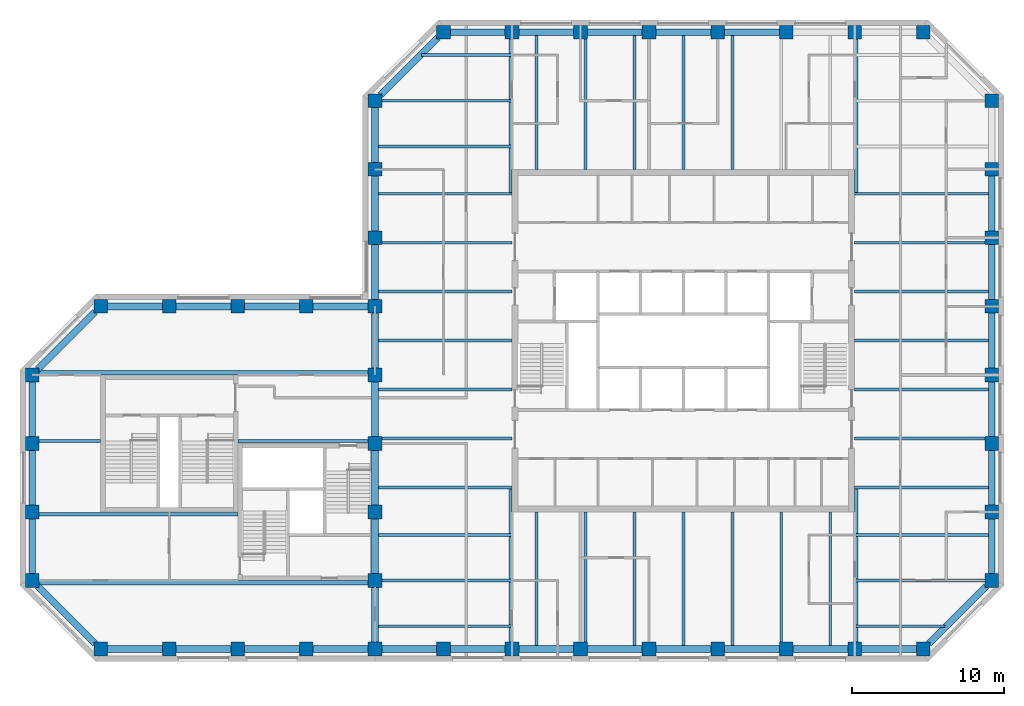
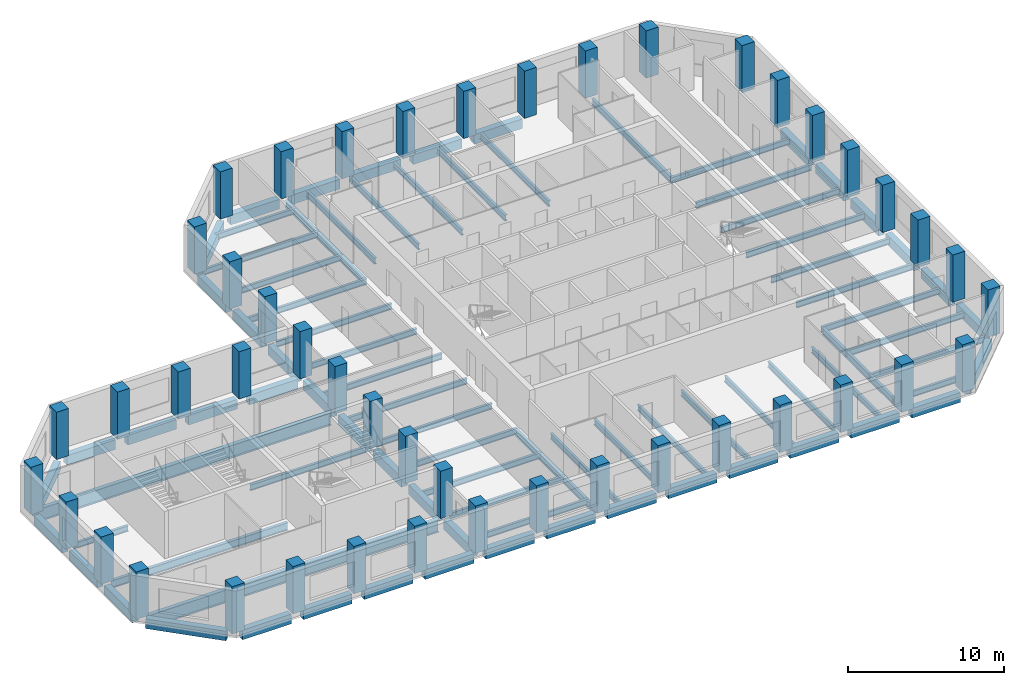
# One storey, part 1 of 9: 86 beams, 45 columns.
"""IFC4 building model written with IfcOpenShell, lengths in metres."""

from ifc_helpers import new_model, si_unit, direction, frame, origin, origin_2d, place, context, subcontext, project, spatial, rectangle, i_section, extrude, material, material_profile, profile_set, type_object, element, save


model = new_model("IFC4")

# Units and contexts
model_context = context("Model", 3, precision=1e-05, world=origin(), true_north=direction((0.0, 1.0)))
body_context = subcontext(model_context, "Body", "Model", "MODEL_VIEW")
ifc_project = project(units=[si_unit("LENGTHUNIT", "METRE"), si_unit("AREAUNIT", "SQUARE_METRE"), si_unit("VOLUMEUNIT", "CUBIC_METRE"), si_unit("PLANEANGLEUNIT", "RADIAN"), si_unit("MASSUNIT", "GRAM", prefix="KILO")], contexts=[model_context])

# Site, building, storey
site_placement = place(None, origin())
site = spatial("IfcSite", under=ifc_project, at=site_placement, CompositionType="ELEMENT")
building_placement = place(site_placement, origin())
building = spatial("IfcBuilding", under=site, at=building_placement, Name="Quoin Convention Tower", CompositionType="ELEMENT")
storey_placement = place(building_placement, frame((0.0, 0.0, 226.699951171875)))
storey = spatial("IfcBuildingStorey", under=building, at=storey_placement, Name="L59", CompositionType="ELEMENT", Elevation=226.699951171875)

# Columns
ifc_material_1 = material(Name="Concrete C50", Category="concrete")
ifc_material_profile_1 = material_profile(ifc_material_1, rectangle(XDim=0.89990234375, YDim=0.89990234375, at=origin_2d()), Name="RC 900x900")
ifc_profile_set_1 = profile_set([ifc_material_profile_1], Name="Concrete C50")
column_type = type_object("IfcColumnType", Name="RC 900x900 C50", PredefinedType="COLUMN", material=ifc_profile_set_1)
for number, where, z_axis, x_axis, name in (
    (1, (18.0, 40.5, 0.0), (0.0, 0.0, 1.0), (1.0, 0.0, 0.0), "col-L59-18000_40500"),
    (2, (22.5, 40.5, 0.0), (0.0, 0.0, 1.0), (1.0, 0.0, 0.0), "col-L59-22500_40500"),
    (3, (27.0, 40.5, 0.0), (0.0, 0.0, 1.0), (1.0, 0.0, 0.0), "col-L59-27000_40500"),
    (4, (31.5, 40.5, 0.0), (0.0, 0.0, 1.0), (1.0, 0.0, 0.0), "col-L59-31500_40500"),
    (5, (36.0, 40.5, 0.0), (0.0, 0.0, 1.0), (1.0, 0.0, 0.0), "col-L59-36000_40500"),
    (6, (40.5, 40.5, 0.0), (0.0, 0.0, 1.0), (1.0, 0.0, 0.0), "col-L59-40500_40500"),
    (7, (45.0, 40.5, 0.0), (0.0, 0.0, 1.0), (1.0, 0.0, 0.0), "col-L59-45000_40500"),
    (8, (49.5, 40.5, 0.0), (0.0, 0.0, 1.0), (1.0, 0.0, 0.0), "col-L59-49500_40500"),
    (9, (54.0, 40.5, 0.0), (0.0, 0.0, 1.0), (1.0, 0.0, 0.0), "col-L59-54000_40500"),
    (10, (58.5, 40.5, 0.0), (0.0, 0.0, 1.0), (1.0, 0.0, 0.0), "col-L59-58500_40500"),
    (11, (63.0, 40.5, 0.0), (0.0, 0.0, 1.0), (1.0, 0.0, 0.0), "col-L59-63000_40500"),
    (12, (67.5, 40.5, 0.0), (0.0, 0.0, 1.0), (1.0, 0.0, 0.0), "col-L59-67500_40500"),
    (13, (72.0, 40.5, 0.0), (0.0, 0.0, 1.0), (1.0, 0.0, 0.0), "col-L59-72000_40500"),
    (14, (13.5, 45.0, 0.0), (0.0, 0.0, 1.0), (1.0, 0.0, 0.0), "col-L59-13500_45000"),
    (15, (36.0, 45.0, 0.0), (0.0, 0.0, 1.0), (1.0, 0.0, 0.0), "web-L59-36000_45000"),
    (16, (76.5, 45.0, 0.0), (0.0, 0.0, 1.0), (1.0, 0.0, 0.0), "col-L59-76500_45000"),
    (17, (13.5, 49.5, 0.0), (0.0, 0.0, 1.0), (1.0, 0.0, 0.0), "col-L59-13500_49500"),
    (18, (36.0, 49.5, 0.0), (0.0, 0.0, 1.0), (1.0, 0.0, 0.0), "web-L59-36000_49500"),
    (19, (76.5, 49.5, 0.0), (0.0, 0.0, 1.0), (1.0, 0.0, 0.0), "col-L59-76500_49500"),
    (20, (13.5, 54.0, 0.0), (0.0, 0.0, 1.0), (1.0, 0.0, 0.0), "col-L59-13500_54000"),
    (21, (36.0, 54.0, 0.0), (0.0, 0.0, 1.0), (1.0, 0.0, 0.0), "web-L59-36000_54000"),
    (22, (76.5, 54.0, 0.0), (0.0, 0.0, 1.0), (1.0, 0.0, 0.0), "col-L59-76500_54000"),
    (23, (13.5, 58.5, 0.0), (0.0, 0.0, 1.0), (1.0, 0.0, 0.0), "col-L59-13500_58500"),
    (24, (36.0, 58.5, 0.0), (0.0, 0.0, 1.0), (1.0, 0.0, 0.0), "web-L59-36000_58500"),
    (25, (76.5, 58.5, 0.0), (0.0, 0.0, 1.0), (1.0, 0.0, 0.0), "col-L59-76500_58500"),
    (26, (18.0, 63.0, 0.0), (0.0, 0.0, 1.0), (1.0, 0.0, 0.0), "col-L59-18000_63000"),
    (27, (22.5, 63.0, 0.0), (0.0, 0.0, 1.0), (1.0, 0.0, 0.0), "col-L59-22500_63000"),
    (28, (27.0, 63.0, 0.0), (0.0, 0.0, 1.0), (1.0, 0.0, 0.0), "col-L59-27000_63000"),
    (29, (31.5, 63.0, 0.0), (0.0, 0.0, 1.0), (1.0, 0.0, 0.0), "col-L59-31500_63000"),
    (30, (36.0, 63.0, 0.0), (0.0, 0.0, 1.0), (1.0, 0.0, 0.0), "col-L59-36000_63000"),
    (31, (76.5, 63.0, 0.0), (0.0, 0.0, 1.0), (1.0, 0.0, 0.0), "col-L59-76500_63000"),
    (32, (36.0, 67.5, 0.0), (0.0, 0.0, 1.0), (1.0, 0.0, 0.0), "col-L59-36000_67500"),
    (33, (76.5, 67.5, 0.0), (0.0, 0.0, 1.0), (1.0, 0.0, 0.0), "col-L59-76500_67500"),
    (34, (36.0, 72.0, 0.0), (0.0, 0.0, 1.0), (1.0, 0.0, 0.0), "col-L59-36000_72000"),
    (35, (76.5, 72.0, 0.0), (0.0, 0.0, 1.0), (1.0, 0.0, 0.0), "col-L59-76500_72000"),
    (36, (36.0, 76.5, 0.0), (0.0, 0.0, 1.0), (1.0, 0.0, 0.0), "col-L59-36000_76500"),
    (37, (76.5, 76.5, 0.0), (0.0, 0.0, 1.0), (1.0, 0.0, 0.0), "col-L59-76500_76500"),
    (38, (40.5, 81.0, 0.0), (0.0, 0.0, 1.0), (1.0, 0.0, 0.0), "col-L59-40500_81000"),
    (39, (45.0, 81.0, 0.0), (0.0, 0.0, 1.0), (1.0, 0.0, 0.0), "col-L59-45000_81000"),
    (40, (49.5, 81.0, 0.0), (0.0, 0.0, 1.0), (1.0, 0.0, 0.0), "col-L59-49500_81000"),
    (41, (54.0, 81.0, 0.0), (0.0, 0.0, 1.0), (1.0, 0.0, 0.0), "col-L59-54000_81000"),
    (42, (58.5, 81.0, 0.0), (0.0, 0.0, 1.0), (1.0, 0.0, 0.0), "col-L59-58500_81000"),
    (43, (63.0, 81.0, 0.0), (0.0, 0.0, 1.0), (1.0, 0.0, 0.0), "col-L59-63000_81000"),
    (44, (67.5, 81.0, 0.0), (0.0, 0.0, 1.0), (1.0, 0.0, 0.0), "col-L59-67500_81000"),
    (45, (72.0, 81.0, 0.0), (0.0, 0.0, 1.0), (1.0, 0.0, 0.0), "col-L59-72000_81000"),
):
    element("IfcColumn", number, at=place(storey_placement, frame(where, z_axis=z_axis, x_axis=x_axis)), inside=storey, type_object=column_type, Name=name, PredefinedType="COLUMN", context=body_context, shape_type="SweptSolid", body=[
        extrude(rectangle(XDim=0.89990234375, YDim=0.89990234375, at=origin_2d()), origin(), (0.0, 0.0, 1.0), 3.699951171875),
    ])

# Beams
ifc_material_2 = material(Name="Steel Grade 300", Category="steel")
ifc_material_profile_2 = material_profile(ifc_material_2, i_section(OverallWidth=0.300048828125, OverallDepth=1.0, WebThickness=0.01611328125, FlangeThickness=0.02001953125, at=origin_2d()), Name="1000WB215")
ifc_profile_set_2 = profile_set([ifc_material_profile_2], Name="Steel Grade 300")
beam_type_1 = type_object("IfcBeamType", Name="1000WB215", PredefinedType="BEAM", material=ifc_profile_set_2)
for number, where, z_axis, x_axis, name in (
    (46, (13.949951171875, 44.85009765625, -0.64990234375), (1.0, 0.0, 0.0), (0.0, 1.0, 0.0), "gir-L59-ST2-1-0"),
    (47, (13.949951171875, 58.64990234375, -0.64990234375), (1.0, 0.0, 0.0), (0.0, 1.0, 0.0), "gir-L59-ST2-4-0"),
):
    element("IfcBeam", number, at=place(storey_placement, frame(where, z_axis=z_axis, x_axis=x_axis)), inside=storey, type_object=beam_type_1, Name=name, PredefinedType="BEAM", context=body_context, shape_type="SweptSolid", body=[
        extrude(i_section(OverallWidth=0.300048828125, OverallDepth=1.0, WebThickness=0.01611328125, FlangeThickness=0.02001953125, at=origin_2d()), origin(), (0.0, 0.0, 1.0), 21.60009765625),
    ])
ifc_material_profile_3 = material_profile(ifc_material_2, i_section(OverallWidth=0.18994140625, OverallDepth=0.4541015625, WebThickness=0.008544921875, FlangeThickness=0.0126953125, FilletRadius=0.011474609375, at=origin_2d()), Name="460UB67.1")
ifc_profile_set_3 = profile_set([ifc_material_profile_3], Name="Steel Grade 300")
beam_type_2 = type_object("IfcBeamType", Name="460UB67.1", PredefinedType="BEAM", material=ifc_profile_set_3)
beam_1_placement = place(storey_placement, frame((36.22509765625, 51.107177734375, -0.376953125), z_axis=(1.0, 0.0, 0.0), x_axis=(0.0, 1.0, 0.0)))
element("IfcBeam", 48, at=beam_1_placement, inside=storey, type_object=beam_type_2, Name="bm-L59-T1W0", PredefinedType="BEAM", context=body_context, shape_type="SweptSolid", body=[
    extrude(i_section(OverallWidth=0.18994140625, OverallDepth=0.4541015625, WebThickness=0.008544921875, FlangeThickness=0.0126953125, FilletRadius=0.011474609375, at=origin_2d()), origin(), (0.0, 0.0, 1.0), 8.77490234375),
])
beam_2_placement = place(storey_placement, frame((36.449951171875, 54.3212890625, -0.376953125), z_axis=(1.0, 0.0, 0.0), x_axis=(0.0, 1.0, 0.0)))
element("IfcBeam", 49, at=beam_2_placement, inside=storey, type_object=beam_type_2, Name="bm-L59-T1W1", PredefinedType="BEAM", context=body_context, shape_type="SweptSolid", body=[
    extrude(i_section(OverallWidth=0.18994140625, OverallDepth=0.4541015625, WebThickness=0.008544921875, FlangeThickness=0.0126953125, FilletRadius=0.011474609375, at=origin_2d()), origin(), (0.0, 0.0, 1.0), 8.550048828125),
])
for number, where, z_axis, x_axis, name in (
    (50, (36.22509765625, 57.53564453125, -0.376953125), (1.0, 0.0, 0.0), (0.0, 1.0, 0.0), "bm-L59-T1W2"),
    (51, (36.22509765625, 60.75, -0.376953125), (1.0, 0.0, 0.0), (0.0, 1.0, 0.0), "bm-L59-T1W3"),
    (52, (36.22509765625, 63.96435546875, -0.376953125), (1.0, 0.0, 0.0), (0.0, 1.0, 0.0), "bm-L59-T1W4"),
):
    element("IfcBeam", number, at=place(storey_placement, frame(where, z_axis=z_axis, x_axis=x_axis)), inside=storey, type_object=beam_type_2, Name=name, PredefinedType="BEAM", context=body_context, shape_type="SweptSolid", body=[
        extrude(i_section(OverallWidth=0.18994140625, OverallDepth=0.4541015625, WebThickness=0.008544921875, FlangeThickness=0.0126953125, FilletRadius=0.011474609375, at=origin_2d()), origin(), (0.0, 0.0, 1.0), 8.77490234375),
    ])
beam_3_placement = place(storey_placement, frame((36.449951171875, 67.1787109375, -0.376953125), z_axis=(1.0, 0.0, 0.0), x_axis=(0.0, 1.0, 0.0)))
element("IfcBeam", 53, at=beam_3_placement, inside=storey, type_object=beam_type_2, Name="bm-L59-T1W5", PredefinedType="BEAM", context=body_context, shape_type="SweptSolid", body=[
    extrude(i_section(OverallWidth=0.18994140625, OverallDepth=0.4541015625, WebThickness=0.008544921875, FlangeThickness=0.0126953125, FilletRadius=0.011474609375, at=origin_2d()), origin(), (0.0, 0.0, 1.0), 8.550048828125),
])
for number, where, z_axis, x_axis, name in (
    (54, (36.22509765625, 70.392822265625, -0.376953125), (1.0, 0.0, 0.0), (0.0, 1.0, 0.0), "bm-L59-T1W6"),
    (55, (67.5, 51.107177734375, -0.376953125), (1.0, 0.0, 0.0), (0.0, 1.0, 0.0), "bm-L59-T1E0"),
):
    element("IfcBeam", number, at=place(storey_placement, frame(where, z_axis=z_axis, x_axis=x_axis)), inside=storey, type_object=beam_type_2, Name=name, PredefinedType="BEAM", context=body_context, shape_type="SweptSolid", body=[
        extrude(i_section(OverallWidth=0.18994140625, OverallDepth=0.4541015625, WebThickness=0.008544921875, FlangeThickness=0.0126953125, FilletRadius=0.011474609375, at=origin_2d()), origin(), (0.0, 0.0, 1.0), 8.77490234375),
    ])
beam_4_placement = place(storey_placement, frame((67.5, 54.3212890625, -0.376953125), z_axis=(1.0, 0.0, 0.0), x_axis=(0.0, 1.0, 0.0)))
element("IfcBeam", 56, at=beam_4_placement, inside=storey, type_object=beam_type_2, Name="bm-L59-T1E1", PredefinedType="BEAM", context=body_context, shape_type="SweptSolid", body=[
    extrude(i_section(OverallWidth=0.18994140625, OverallDepth=0.4541015625, WebThickness=0.008544921875, FlangeThickness=0.0126953125, FilletRadius=0.011474609375, at=origin_2d()), origin(), (0.0, 0.0, 1.0), 8.550048828125),
])
for number, where, z_axis, x_axis, name in (
    (57, (67.5, 57.53564453125, -0.376953125), (1.0, 0.0, 0.0), (0.0, 1.0, 0.0), "bm-L59-T1E2"),
    (58, (67.5, 60.75, -0.376953125), (1.0, 0.0, 0.0), (0.0, 1.0, 0.0), "bm-L59-T1E3"),
    (59, (67.5, 63.96435546875, -0.376953125), (1.0, 0.0, 0.0), (0.0, 1.0, 0.0), "bm-L59-T1E4"),
):
    element("IfcBeam", number, at=place(storey_placement, frame(where, z_axis=z_axis, x_axis=x_axis)), inside=storey, type_object=beam_type_2, Name=name, PredefinedType="BEAM", context=body_context, shape_type="SweptSolid", body=[
        extrude(i_section(OverallWidth=0.18994140625, OverallDepth=0.4541015625, WebThickness=0.008544921875, FlangeThickness=0.0126953125, FilletRadius=0.011474609375, at=origin_2d()), origin(), (0.0, 0.0, 1.0), 8.77490234375),
    ])
beam_5_placement = place(storey_placement, frame((67.5, 67.1787109375, -0.376953125), z_axis=(1.0, 0.0, 0.0), x_axis=(0.0, 1.0, 0.0)))
element("IfcBeam", 60, at=beam_5_placement, inside=storey, type_object=beam_type_2, Name="bm-L59-T1E5", PredefinedType="BEAM", context=body_context, shape_type="SweptSolid", body=[
    extrude(i_section(OverallWidth=0.18994140625, OverallDepth=0.4541015625, WebThickness=0.008544921875, FlangeThickness=0.0126953125, FilletRadius=0.011474609375, at=origin_2d()), origin(), (0.0, 0.0, 1.0), 8.550048828125),
])
for number, where, z_axis, x_axis, name in (
    (61, (67.5, 70.392822265625, -0.376953125), (1.0, 0.0, 0.0), (0.0, 1.0, 0.0), "bm-L59-T1E6"),
    (62, (46.607177734375, 40.72509765625, -0.376953125), (0.0, 1.0, 0.0), (-1.0, 0.0, 0.0), "bm-L59-T1S0"),
):
    element("IfcBeam", number, at=place(storey_placement, frame(where, z_axis=z_axis, x_axis=x_axis)), inside=storey, type_object=beam_type_2, Name=name, PredefinedType="BEAM", context=body_context, shape_type="SweptSolid", body=[
        extrude(i_section(OverallWidth=0.18994140625, OverallDepth=0.4541015625, WebThickness=0.008544921875, FlangeThickness=0.0126953125, FilletRadius=0.011474609375, at=origin_2d()), origin(), (0.0, 0.0, 1.0), 8.77490234375),
    ])
beam_6_placement = place(storey_placement, frame((49.8212890625, 40.949951171875, -0.376953125), z_axis=(0.0, 1.0, 0.0), x_axis=(-1.0, 0.0, 0.0)))
element("IfcBeam", 63, at=beam_6_placement, inside=storey, type_object=beam_type_2, Name="bm-L59-T1S1", PredefinedType="BEAM", context=body_context, shape_type="SweptSolid", body=[
    extrude(i_section(OverallWidth=0.18994140625, OverallDepth=0.4541015625, WebThickness=0.008544921875, FlangeThickness=0.0126953125, FilletRadius=0.011474609375, at=origin_2d()), origin(), (0.0, 0.0, 1.0), 8.550048828125),
])
for number, where, z_axis, x_axis, name in (
    (64, (53.03564453125, 40.72509765625, -0.376953125), (0.0, 1.0, 0.0), (-1.0, 0.0, 0.0), "bm-L59-T1S2"),
    (65, (56.25, 40.72509765625, -0.376953125), (0.0, 1.0, 0.0), (-1.0, 0.0, 0.0), "bm-L59-T1S3"),
    (66, (59.46435546875, 40.72509765625, -0.376953125), (0.0, 1.0, 0.0), (-1.0, 0.0, 0.0), "bm-L59-T1S4"),
):
    element("IfcBeam", number, at=place(storey_placement, frame(where, z_axis=z_axis, x_axis=x_axis)), inside=storey, type_object=beam_type_2, Name=name, PredefinedType="BEAM", context=body_context, shape_type="SweptSolid", body=[
        extrude(i_section(OverallWidth=0.18994140625, OverallDepth=0.4541015625, WebThickness=0.008544921875, FlangeThickness=0.0126953125, FilletRadius=0.011474609375, at=origin_2d()), origin(), (0.0, 0.0, 1.0), 8.77490234375),
    ])
beam_7_placement = place(storey_placement, frame((62.6787109375, 40.949951171875, -0.376953125), z_axis=(0.0, 1.0, 0.0), x_axis=(-1.0, 0.0, 0.0)))
element("IfcBeam", 67, at=beam_7_placement, inside=storey, type_object=beam_type_2, Name="bm-L59-T1S5", PredefinedType="BEAM", context=body_context, shape_type="SweptSolid", body=[
    extrude(i_section(OverallWidth=0.18994140625, OverallDepth=0.4541015625, WebThickness=0.008544921875, FlangeThickness=0.0126953125, FilletRadius=0.011474609375, at=origin_2d()), origin(), (0.0, 0.0, 1.0), 8.550048828125),
])
for number, where, z_axis, x_axis, name in (
    (68, (65.892822265625, 40.72509765625, -0.376953125), (0.0, 1.0, 0.0), (-1.0, 0.0, 0.0), "bm-L59-T1S6"),
    (69, (46.607177734375, 72.0, -0.376953125), (0.0, 1.0, 0.0), (-1.0, 0.0, 0.0), "bm-L59-T1N0"),
):
    element("IfcBeam", number, at=place(storey_placement, frame(where, z_axis=z_axis, x_axis=x_axis)), inside=storey, type_object=beam_type_2, Name=name, PredefinedType="BEAM", context=body_context, shape_type="SweptSolid", body=[
        extrude(i_section(OverallWidth=0.18994140625, OverallDepth=0.4541015625, WebThickness=0.008544921875, FlangeThickness=0.0126953125, FilletRadius=0.011474609375, at=origin_2d()), origin(), (0.0, 0.0, 1.0), 8.77490234375),
    ])
beam_8_placement = place(storey_placement, frame((49.8212890625, 72.0, -0.376953125), z_axis=(0.0, 1.0, 0.0), x_axis=(-1.0, 0.0, 0.0)))
element("IfcBeam", 70, at=beam_8_placement, inside=storey, type_object=beam_type_2, Name="bm-L59-T1N1", PredefinedType="BEAM", context=body_context, shape_type="SweptSolid", body=[
    extrude(i_section(OverallWidth=0.18994140625, OverallDepth=0.4541015625, WebThickness=0.008544921875, FlangeThickness=0.0126953125, FilletRadius=0.011474609375, at=origin_2d()), origin(), (0.0, 0.0, 1.0), 8.550048828125),
])
for number, where, z_axis, x_axis, name in (
    (71, (53.03564453125, 72.0, -0.376953125), (0.0, 1.0, 0.0), (-1.0, 0.0, 0.0), "bm-L59-T1N2"),
    (72, (56.25, 72.0, -0.376953125), (0.0, 1.0, 0.0), (-1.0, 0.0, 0.0), "bm-L59-T1N3"),
    (73, (59.46435546875, 72.0, -0.376953125), (0.0, 1.0, 0.0), (-1.0, 0.0, 0.0), "bm-L59-T1N4"),
    (74, (36.22509765625, 42.0, -0.376953125), (1.0, 0.0, 0.0), (0.0, 1.0, 0.0), "bm-L59-T1SW0"),
):
    element("IfcBeam", number, at=place(storey_placement, frame(where, z_axis=z_axis, x_axis=x_axis)), inside=storey, type_object=beam_type_2, Name=name, PredefinedType="BEAM", context=body_context, shape_type="SweptSolid", body=[
        extrude(i_section(OverallWidth=0.18994140625, OverallDepth=0.4541015625, WebThickness=0.008544921875, FlangeThickness=0.0126953125, FilletRadius=0.011474609375, at=origin_2d()), origin(), (0.0, 0.0, 1.0), 8.77490234375),
    ])
beam_9_placement = place(storey_placement, frame((36.449951171875, 45.0, -0.376953125), z_axis=(1.0, 0.0, 0.0), x_axis=(0.0, 1.0, 0.0)))
element("IfcBeam", 75, at=beam_9_placement, inside=storey, type_object=beam_type_2, Name="bm-L59-T1SW1", PredefinedType="BEAM", context=body_context, shape_type="SweptSolid", body=[
    extrude(i_section(OverallWidth=0.18994140625, OverallDepth=0.4541015625, WebThickness=0.008544921875, FlangeThickness=0.0126953125, FilletRadius=0.011474609375, at=origin_2d()), origin(), (0.0, 0.0, 1.0), 8.550048828125),
])
beam_10_placement = place(storey_placement, frame((36.22509765625, 48.0, -0.376953125), z_axis=(1.0, 0.0, 0.0), x_axis=(0.0, 1.0, 0.0)))
element("IfcBeam", 76, at=beam_10_placement, inside=storey, type_object=beam_type_2, Name="bm-L59-T1SW2", PredefinedType="BEAM", context=body_context, shape_type="SweptSolid", body=[
    extrude(i_section(OverallWidth=0.18994140625, OverallDepth=0.4541015625, WebThickness=0.008544921875, FlangeThickness=0.0126953125, FilletRadius=0.011474609375, at=origin_2d()), origin(), (0.0, 0.0, 1.0), 8.77490234375),
])
beam_11_placement = place(storey_placement, frame((67.5, 42.0, -0.376953125), z_axis=(1.0, 0.0, 0.0), x_axis=(0.0, 1.0, 0.0)))
element("IfcBeam", 77, at=beam_11_placement, inside=storey, type_object=beam_type_2, Name="bm-L59-T1SE0", PredefinedType="BEAM", context=body_context, shape_type="SweptSolid", body=[
    extrude(i_section(OverallWidth=0.18994140625, OverallDepth=0.4541015625, WebThickness=0.008544921875, FlangeThickness=0.0126953125, FilletRadius=0.011474609375, at=origin_2d()), origin(), (0.0, 0.0, 1.0), 5.935791015625),
])
beam_12_placement = place(storey_placement, frame((67.5, 45.0, -0.376953125), z_axis=(1.0, 0.0, 0.0), x_axis=(0.0, 1.0, 0.0)))
element("IfcBeam", 78, at=beam_12_placement, inside=storey, type_object=beam_type_2, Name="bm-L59-T1SE1", PredefinedType="BEAM", context=body_context, shape_type="SweptSolid", body=[
    extrude(i_section(OverallWidth=0.18994140625, OverallDepth=0.4541015625, WebThickness=0.008544921875, FlangeThickness=0.0126953125, FilletRadius=0.011474609375, at=origin_2d()), origin(), (0.0, 0.0, 1.0), 8.550048828125),
])
beam_13_placement = place(storey_placement, frame((67.5, 48.0, -0.376953125), z_axis=(1.0, 0.0, 0.0), x_axis=(0.0, 1.0, 0.0)))
element("IfcBeam", 79, at=beam_13_placement, inside=storey, type_object=beam_type_2, Name="bm-L59-T1SE2", PredefinedType="BEAM", context=body_context, shape_type="SweptSolid", body=[
    extrude(i_section(OverallWidth=0.18994140625, OverallDepth=0.4541015625, WebThickness=0.008544921875, FlangeThickness=0.0126953125, FilletRadius=0.011474609375, at=origin_2d()), origin(), (0.0, 0.0, 1.0), 8.77490234375),
])
beam_14_placement = place(storey_placement, frame((39.064208984375, 79.5, -0.376953125), z_axis=(1.0, 0.0, 0.0), x_axis=(0.0, 1.0, 0.0)))
element("IfcBeam", 80, at=beam_14_placement, inside=storey, type_object=beam_type_2, Name="bm-L59-T1NW0", PredefinedType="BEAM", context=body_context, shape_type="SweptSolid", body=[
    extrude(i_section(OverallWidth=0.18994140625, OverallDepth=0.4541015625, WebThickness=0.008544921875, FlangeThickness=0.0126953125, FilletRadius=0.011474609375, at=origin_2d()), origin(), (0.0, 0.0, 1.0), 5.935791015625),
])
beam_15_placement = place(storey_placement, frame((36.449951171875, 76.5, -0.376953125), z_axis=(1.0, 0.0, 0.0), x_axis=(0.0, 1.0, 0.0)))
element("IfcBeam", 81, at=beam_15_placement, inside=storey, type_object=beam_type_2, Name="bm-L59-T1NW1", PredefinedType="BEAM", context=body_context, shape_type="SweptSolid", body=[
    extrude(i_section(OverallWidth=0.18994140625, OverallDepth=0.4541015625, WebThickness=0.008544921875, FlangeThickness=0.0126953125, FilletRadius=0.011474609375, at=origin_2d()), origin(), (0.0, 0.0, 1.0), 8.550048828125),
])
beam_16_placement = place(storey_placement, frame((36.22509765625, 73.5, -0.376953125), z_axis=(1.0, 0.0, 0.0), x_axis=(0.0, 1.0, 0.0)))
element("IfcBeam", 82, at=beam_16_placement, inside=storey, type_object=beam_type_2, Name="bm-L59-T1NW2", PredefinedType="BEAM", context=body_context, shape_type="SweptSolid", body=[
    extrude(i_section(OverallWidth=0.18994140625, OverallDepth=0.4541015625, WebThickness=0.008544921875, FlangeThickness=0.0126953125, FilletRadius=0.011474609375, at=origin_2d()), origin(), (0.0, 0.0, 1.0), 8.77490234375),
])
beam_17_placement = place(storey_placement, frame((13.949951171875, 54.14990234375, -0.376953125), z_axis=(1.0, 0.0, 0.0), x_axis=(0.0, 1.0, 0.0)))
element("IfcBeam", 83, at=beam_17_placement, inside=storey, type_object=beam_type_2, Name="gir-L59-ST2-3-0", PredefinedType="BEAM", context=body_context, shape_type="SweptSolid", body=[
    extrude(i_section(OverallWidth=0.18994140625, OverallDepth=0.4541015625, WebThickness=0.008544921875, FlangeThickness=0.0126953125, FilletRadius=0.011474609375, at=origin_2d()), origin(), (0.0, 0.0, 1.0), 4.050048828125),
])
beam_18_placement = place(storey_placement, frame((27.0, 54.14990234375, -0.376953125), z_axis=(1.0, 0.0, 0.0), x_axis=(0.0, 1.0, 0.0)))
element("IfcBeam", 84, at=beam_18_placement, inside=storey, type_object=beam_type_2, Name="gir-L59-ST2-3-1", PredefinedType="BEAM", context=body_context, shape_type="SweptSolid", body=[
    extrude(i_section(OverallWidth=0.18994140625, OverallDepth=0.4541015625, WebThickness=0.008544921875, FlangeThickness=0.0126953125, FilletRadius=0.011474609375, at=origin_2d()), origin(), (0.0, 0.0, 1.0), 8.550048828125),
])
ifc_material_profile_4 = material_profile(ifc_material_2, i_section(OverallWidth=0.208984375, OverallDepth=0.528076171875, WebThickness=0.009521484375, FlangeThickness=0.01318359375, FilletRadius=0.013916015625, at=origin_2d()), Name="530UB82.0")
ifc_profile_set_4 = profile_set([ifc_material_profile_4], Name="Steel Grade 300")
beam_type_3 = type_object("IfcBeamType", Name="530UB82.0", PredefinedType="BEAM", material=ifc_profile_set_4)
for number, where, z_axis, x_axis, name in (
    (85, (44.904541015625, 40.949951171875, -0.4140625), (0.0, 1.0, 0.0), (-1.0, 0.0, 0.0), "gir-L59-T1SW"),
    (86, (67.595458984375, 40.949951171875, -0.4140625), (0.0, 1.0, 0.0), (-1.0, 0.0, 0.0), "gir-L59-T1SE"),
    (87, (44.904541015625, 80.550048828125, -0.4140625), (0.0, -1.0, 0.0), (1.0, 0.0, 0.0), "gir-L59-T1NW"),
    (88, (67.595458984375, 80.550048828125, -0.4140625), (0.0, -1.0, 0.0), (1.0, 0.0, 0.0), "gir-L59-T1NE"),
):
    element("IfcBeam", number, at=place(storey_placement, frame(where, z_axis=z_axis, x_axis=x_axis)), inside=storey, type_object=beam_type_3, Name=name, PredefinedType="BEAM", context=body_context, shape_type="SweptSolid", body=[
        extrude(i_section(OverallWidth=0.208984375, OverallDepth=0.528076171875, WebThickness=0.009521484375, FlangeThickness=0.01318359375, FilletRadius=0.013916015625, at=origin_2d()), origin(), (0.0, 0.0, 1.0), 10.062255859375),
    ])
ifc_material_profile_5 = material_profile(ifc_material_2, i_section(OverallWidth=0.22802734375, OverallDepth=0.60205078125, WebThickness=0.010498046875, FlangeThickness=0.014892578125, FilletRadius=0.013916015625, at=origin_2d()), Name="610UB101")
ifc_profile_set_5 = profile_set([ifc_material_profile_5], Name="Steel Grade 300")
beam_type_4 = type_object("IfcBeamType", Name="610UB101", PredefinedType="BEAM", material=ifc_profile_set_5)
beam_19_placement = place(storey_placement, frame((13.949951171875, 49.35009765625, -0.450927734375), z_axis=(1.0, 0.0, 0.0), x_axis=(0.0, 1.0, 0.0)))
element("IfcBeam", 89, at=beam_19_placement, inside=storey, type_object=beam_type_4, Name="gir-L59-ST2-2-0", PredefinedType="BEAM", context=body_context, shape_type="SweptSolid", body=[
    extrude(i_section(OverallWidth=0.22802734375, OverallDepth=0.60205078125, WebThickness=0.010498046875, FlangeThickness=0.014892578125, FilletRadius=0.013916015625, at=origin_2d()), origin(), (0.0, 0.0, 1.0), 13.050048828125),
])
ifc_material_profile_6 = material_profile(ifc_material_1, rectangle(XDim=0.449951171875, YDim=0.75, at=origin_2d()), Name="RC 450x750")
ifc_profile_set_6 = profile_set([ifc_material_profile_6], Name="Concrete C50")
beam_type_5 = type_object("IfcBeamType", Name="RC 450x750 C50", PredefinedType="SPANDREL", material=ifc_profile_set_6)
for number, where, z_axis, x_axis, name in (
    (90, (36.449951171875, 40.5, -0.52490234375), (1.0, 0.0, 0.0), (0.0, 1.0, 0.0), "spd-L59-36000_40500-40500_40500"),
    (91, (40.949951171875, 40.5, -0.52490234375), (1.0, 0.0, 0.0), (0.0, 1.0, 0.0), "spd-L59-40500_40500-45000_40500"),
    (92, (45.449951171875, 40.5, -0.52490234375), (1.0, 0.0, 0.0), (0.0, 1.0, 0.0), "spd-L59-45000_40500-49500_40500"),
    (93, (49.949951171875, 40.5, -0.52490234375), (1.0, 0.0, 0.0), (0.0, 1.0, 0.0), "spd-L59-49500_40500-54000_40500"),
    (94, (54.449951171875, 40.5, -0.52490234375), (1.0, 0.0, 0.0), (0.0, 1.0, 0.0), "spd-L59-54000_40500-58500_40500"),
    (95, (58.949951171875, 40.5, -0.52490234375), (1.0, 0.0, 0.0), (0.0, 1.0, 0.0), "spd-L59-58500_40500-63000_40500"),
    (96, (63.449951171875, 40.5, -0.52490234375), (1.0, 0.0, 0.0), (0.0, 1.0, 0.0), "spd-L59-63000_40500-67500_40500"),
    (97, (67.949951171875, 40.5, -0.52490234375), (1.0, 0.0, 0.0), (0.0, 1.0, 0.0), "spd-L59-67500_40500-72000_40500"),
):
    element("IfcBeam", number, at=place(storey_placement, frame(where, z_axis=z_axis, x_axis=x_axis)), inside=storey, type_object=beam_type_5, Name=name, PredefinedType="SPANDREL", context=body_context, shape_type="SweptSolid", body=[
        extrude(rectangle(XDim=0.449951171875, YDim=0.75, at=origin_2d()), origin(), (0.0, 0.0, 1.0), 3.60009765625),
    ])
beam_20_placement = place(storey_placement, frame((72.364990234375, 40.864990234375, -0.52490234375), z_axis=(0.707106781187, 0.707106781187, 0.0), x_axis=(-0.707106781187, 0.707106781187, 0.0)))
element("IfcBeam", 98, at=beam_20_placement, inside=storey, type_object=beam_type_5, Name="spd-L59-72000_40500-76500_45000", PredefinedType="SPANDREL", context=body_context, shape_type="SweptSolid", body=[
    extrude(rectangle(XDim=0.449951171875, YDim=0.75, at=origin_2d()), origin(), (0.0, 0.0, 1.0), 5.33154296875),
])
for number, where, z_axis, x_axis, name in (
    (99, (76.5, 45.449951171875, -0.52490234375), (0.0, 1.0, 0.0), (-1.0, 0.0, 0.0), "spd-L59-76500_45000-76500_49500"),
    (100, (76.5, 49.949951171875, -0.52490234375), (0.0, 1.0, 0.0), (-1.0, 0.0, 0.0), "spd-L59-76500_49500-76500_54000"),
    (101, (76.5, 54.449951171875, -0.52490234375), (0.0, 1.0, 0.0), (-1.0, 0.0, 0.0), "spd-L59-76500_54000-76500_58500"),
    (102, (76.5, 58.949951171875, -0.52490234375), (0.0, 1.0, 0.0), (-1.0, 0.0, 0.0), "spd-L59-76500_58500-76500_63000"),
    (103, (76.5, 63.449951171875, -0.52490234375), (0.0, 1.0, 0.0), (-1.0, 0.0, 0.0), "spd-L59-76500_63000-76500_67500"),
    (104, (76.5, 67.949951171875, -0.52490234375), (0.0, 1.0, 0.0), (-1.0, 0.0, 0.0), "spd-L59-76500_67500-76500_72000"),
    (105, (62.550048828125, 81.0, -0.52490234375), (-1.0, 0.0, 0.0), (0.0, -1.0, 0.0), "spd-L59-63000_81000-58500_81000"),
    (106, (58.050048828125, 81.0, -0.52490234375), (-1.0, 0.0, 0.0), (0.0, -1.0, 0.0), "spd-L59-58500_81000-54000_81000"),
    (107, (53.550048828125, 81.0, -0.52490234375), (-1.0, 0.0, 0.0), (0.0, -1.0, 0.0), "spd-L59-54000_81000-49500_81000"),
    (108, (49.050048828125, 81.0, -0.52490234375), (-1.0, 0.0, 0.0), (0.0, -1.0, 0.0), "spd-L59-49500_81000-45000_81000"),
    (109, (44.550048828125, 81.0, -0.52490234375), (-1.0, 0.0, 0.0), (0.0, -1.0, 0.0), "spd-L59-45000_81000-40500_81000"),
):
    element("IfcBeam", number, at=place(storey_placement, frame(where, z_axis=z_axis, x_axis=x_axis)), inside=storey, type_object=beam_type_5, Name=name, PredefinedType="SPANDREL", context=body_context, shape_type="SweptSolid", body=[
        extrude(rectangle(XDim=0.449951171875, YDim=0.75, at=origin_2d()), origin(), (0.0, 0.0, 1.0), 3.60009765625),
    ])
beam_21_placement = place(storey_placement, frame((40.135009765625, 80.635009765625, -0.52490234375), z_axis=(-0.707106781187, -0.707106781187, 0.0), x_axis=(0.707106781187, -0.707106781187, 0.0)))
element("IfcBeam", 110, at=beam_21_placement, inside=storey, type_object=beam_type_5, Name="spd-L59-40500_81000-36000_76500", PredefinedType="SPANDREL", context=body_context, shape_type="SweptSolid", body=[
    extrude(rectangle(XDim=0.449951171875, YDim=0.75, at=origin_2d()), origin(), (0.0, 0.0, 1.0), 5.33154296875),
])
for number, where, z_axis, x_axis, name in (
    (111, (36.0, 76.050048828125, -0.52490234375), (0.0, -1.0, 0.0), (1.0, 0.0, 0.0), "spd-L59-36000_76500-36000_72000"),
    (112, (36.0, 71.550048828125, -0.52490234375), (0.0, -1.0, 0.0), (1.0, 0.0, 0.0), "spd-L59-36000_72000-36000_67500"),
    (113, (36.0, 67.050048828125, -0.52490234375), (0.0, -1.0, 0.0), (1.0, 0.0, 0.0), "spd-L59-36000_67500-36000_63000"),
    (114, (35.550048828125, 63.0, -0.52490234375), (-1.0, 0.0, 0.0), (0.0, -1.0, 0.0), "spd-L59-36000_63000-31500_63000"),
    (115, (31.050048828125, 63.0, -0.52490234375), (-1.0, 0.0, 0.0), (0.0, -1.0, 0.0), "spd-L59-31500_63000-27000_63000"),
    (116, (26.550048828125, 63.0, -0.52490234375), (-1.0, 0.0, 0.0), (0.0, -1.0, 0.0), "spd-L59-27000_63000-22500_63000"),
    (117, (22.050048828125, 63.0, -0.52490234375), (-1.0, 0.0, 0.0), (0.0, -1.0, 0.0), "spd-L59-22500_63000-18000_63000"),
):
    element("IfcBeam", number, at=place(storey_placement, frame(where, z_axis=z_axis, x_axis=x_axis)), inside=storey, type_object=beam_type_5, Name=name, PredefinedType="SPANDREL", context=body_context, shape_type="SweptSolid", body=[
        extrude(rectangle(XDim=0.449951171875, YDim=0.75, at=origin_2d()), origin(), (0.0, 0.0, 1.0), 3.60009765625),
    ])
beam_22_placement = place(storey_placement, frame((17.635009765625, 62.635009765625, -0.52490234375), z_axis=(-0.707106781187, -0.707106781187, 0.0), x_axis=(0.707106781187, -0.707106781187, 0.0)))
element("IfcBeam", 118, at=beam_22_placement, inside=storey, type_object=beam_type_5, Name="spd-L59-18000_63000-13500_58500", PredefinedType="SPANDREL", context=body_context, shape_type="SweptSolid", body=[
    extrude(rectangle(XDim=0.449951171875, YDim=0.75, at=origin_2d()), origin(), (0.0, 0.0, 1.0), 5.33154296875),
])
for number, where, z_axis, x_axis, name in (
    (119, (13.5, 58.050048828125, -0.52490234375), (0.0, -1.0, 0.0), (1.0, 0.0, 0.0), "spd-L59-13500_58500-13500_54000"),
    (120, (13.5, 53.550048828125, -0.52490234375), (0.0, -1.0, 0.0), (1.0, 0.0, 0.0), "spd-L59-13500_54000-13500_49500"),
    (121, (13.5, 49.050048828125, -0.52490234375), (0.0, -1.0, 0.0), (1.0, 0.0, 0.0), "spd-L59-13500_49500-13500_45000"),
):
    element("IfcBeam", number, at=place(storey_placement, frame(where, z_axis=z_axis, x_axis=x_axis)), inside=storey, type_object=beam_type_5, Name=name, PredefinedType="SPANDREL", context=body_context, shape_type="SweptSolid", body=[
        extrude(rectangle(XDim=0.449951171875, YDim=0.75, at=origin_2d()), origin(), (0.0, 0.0, 1.0), 3.60009765625),
    ])
beam_23_placement = place(storey_placement, frame((13.864990234375, 44.635009765625, -0.52490234375), z_axis=(0.707106781187, -0.707106781187, 0.0), x_axis=(0.707106781187, 0.707106781187, 0.0)))
element("IfcBeam", 122, at=beam_23_placement, inside=storey, type_object=beam_type_5, Name="spd-L59-13500_45000-18000_40500", PredefinedType="SPANDREL", context=body_context, shape_type="SweptSolid", body=[
    extrude(rectangle(XDim=0.449951171875, YDim=0.75, at=origin_2d()), origin(), (0.0, 0.0, 1.0), 5.33154296875),
])
for number, where, z_axis, x_axis, name in (
    (123, (18.449951171875, 40.5, -0.52490234375), (1.0, 0.0, 0.0), (0.0, 1.0, 0.0), "spd-L59-18000_40500-22500_40500"),
    (124, (22.949951171875, 40.5, -0.52490234375), (1.0, 0.0, 0.0), (0.0, 1.0, 0.0), "spd-L59-22500_40500-27000_40500"),
    (125, (27.449951171875, 40.5, -0.52490234375), (1.0, 0.0, 0.0), (0.0, 1.0, 0.0), "spd-L59-27000_40500-31500_40500"),
    (126, (31.949951171875, 40.5, -0.52490234375), (1.0, 0.0, 0.0), (0.0, 1.0, 0.0), "spd-L59-31500_40500-36000_40500"),
    (127, (36.0, 40.949951171875, -0.52490234375), (0.0, 1.0, 0.0), (-1.0, 0.0, 0.0), "spd-L59-36000_40500-36000_45000"),
    (128, (36.0, 45.449951171875, -0.52490234375), (0.0, 1.0, 0.0), (-1.0, 0.0, 0.0), "spd-L59-36000_45000-36000_49500"),
    (129, (36.0, 49.949951171875, -0.52490234375), (0.0, 1.0, 0.0), (-1.0, 0.0, 0.0), "spd-L59-36000_49500-36000_54000"),
    (130, (36.0, 54.449951171875, -0.52490234375), (0.0, 1.0, 0.0), (-1.0, 0.0, 0.0), "spd-L59-36000_54000-36000_58500"),
    (131, (36.0, 58.949951171875, -0.52490234375), (0.0, 1.0, 0.0), (-1.0, 0.0, 0.0), "spd-L59-36000_58500-36000_63000"),
):
    element("IfcBeam", number, at=place(storey_placement, frame(where, z_axis=z_axis, x_axis=x_axis)), inside=storey, type_object=beam_type_5, Name=name, PredefinedType="SPANDREL", context=body_context, shape_type="SweptSolid", body=[
        extrude(rectangle(XDim=0.449951171875, YDim=0.75, at=origin_2d()), origin(), (0.0, 0.0, 1.0), 3.60009765625),
    ])

save(model, "model.ifc")
